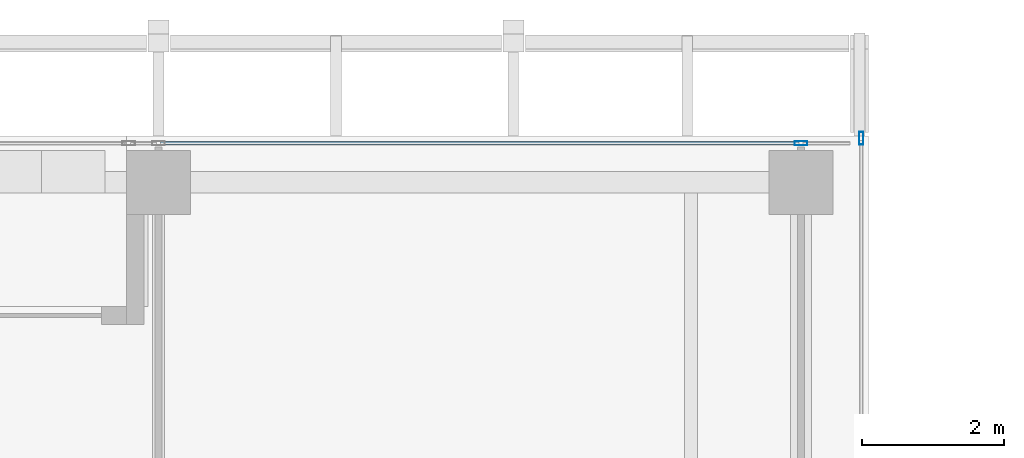
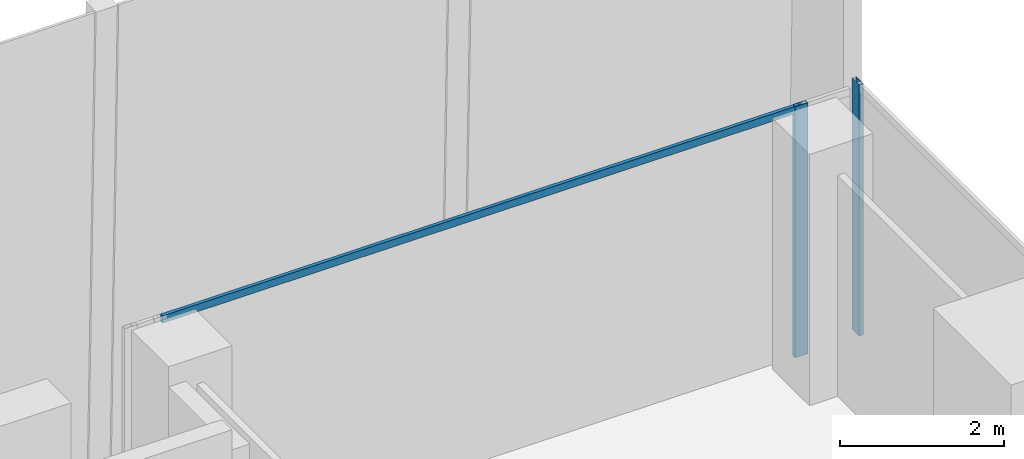
# One storey, part 21 of 35: 3 members, 2 elements without a shape of their own.
"""IFC4 building model written with IfcOpenShell, lengths in metres."""

import ifcopenshell
import ifcopenshell.guid

model = None  # the IFC model being written
_history = None  # IfcOwnerHistory: only IFC2X3 demands one
_inside = {}  # id of a spatial element -> (the spatial element, [elements in it])
_under = {}  # id of a project, library or spatial element -> (it, [spatial elements below it])
_declared = {}  # id of a project -> (the project, [libraries it declares])
_typed = {}  # id of a type object -> (the type object, [elements of that type])
_made_of = {}  # id of a material, layer set ... -> (it, [elements and type objects made of it])


def new_model(schema):
    """Start an empty IFC model of exactly this schema.

    Asked for "IFC4X3", IfcOpenShell would pick the latest addendum, in which some entities
    have other attributes; the version numbers below select the first issue.
    IFC2X3 requires an IfcOwnerHistory on every rooted entity: one is made here for all.
    """
    global model, _history
    if schema == "IFC4X3":
        model = ifcopenshell.file(schema_version=(4, 3, 0, 0))
    else:
        model = ifcopenshell.file(schema=schema)
    _inside.clear()
    _under.clear()
    _declared.clear()
    _typed.clear()
    _made_of.clear()
    _history = None
    if model.schema == "IFC2X3":
        org = make("IfcOrganization", Name="unknown")
        user = make(
            "IfcPersonAndOrganization",
            ThePerson=make("IfcPerson", FamilyName="unknown"),
            TheOrganization=org,
        )
        app = make(
            "IfcApplication",
            ApplicationDeveloper=org,
            Version="unknown",
            ApplicationFullName="unknown",
            ApplicationIdentifier="unknown",
        )
        _history = make(
            "IfcOwnerHistory",
            OwningUser=user,
            OwningApplication=app,
            ChangeAction="ADDED",
            CreationDate=0,
        )
    return model


def make(cls, **values):
    """One entity of the class cls with the attributes given. An attribute that is None is left unset."""
    return model.create_entity(
        cls, **{name: value for name, value in values.items() if value is not None}
    )


def rooted(cls, **values):
    """An entity with a GlobalId (a new one), such as an element, a storey or a relation."""
    return make(cls, GlobalId=ifcopenshell.guid.new(), OwnerHistory=_history, **values)


def si_unit(unit_type, name, prefix=None):
    """IfcSIUnit, for example si_unit("LENGTHUNIT", "METRE", prefix="MILLI")."""
    return make("IfcSIUnit", UnitType=unit_type, Prefix=prefix, Name=name)


def assignment(units):
    """IfcUnitAssignment: the units of a project."""
    return None if units is None else make("IfcUnitAssignment", Units=units)


def point(xyz):
    """IfcCartesianPoint."""
    return None if xyz is None else make("IfcCartesianPoint", Coordinates=xyz)


def direction(xyz):
    """IfcDirection."""
    return None if xyz is None else make("IfcDirection", DirectionRatios=xyz)


def frame(location, z_axis=None, x_axis=None):
    """IfcAxis2Placement3D, a coordinate frame: its origin and axes. An axis left out is left unset."""
    return make(
        "IfcAxis2Placement3D",
        Location=point(location),
        Axis=direction(z_axis),
        RefDirection=direction(x_axis),
    )


def frame_2d(location, x_axis=None):
    """IfcAxis2Placement2D, a coordinate frame in the plane: its origin and x axis."""
    return make(
        "IfcAxis2Placement2D", Location=point(location), RefDirection=direction(x_axis)
    )


def origin():
    """The frame at (0, 0, 0) with its axes left unset."""
    return frame((0.0, 0.0, 0.0))


def origin_2d():
    """The frame at (0, 0) in the plane with its x axis left unset."""
    return frame_2d((0.0, 0.0))


def place(relative_to, where):
    """IfcLocalPlacement: puts the frame where relative to a parent placement (None: the world)."""
    return make(
        "IfcLocalPlacement", PlacementRelTo=relative_to, RelativePlacement=where
    )


def context(
    kind, dimensions, precision=None, world=None, true_north=None, identifier=None
):
    """IfcGeometricRepresentationContext, for example the 3D "Model" context."""
    return make(
        "IfcGeometricRepresentationContext",
        ContextIdentifier=identifier,
        ContextType=kind,
        CoordinateSpaceDimension=dimensions,
        Precision=precision,
        WorldCoordinateSystem=world,
        TrueNorth=true_north,
    )


def subcontext(parent, identifier, kind, view, scale=None):
    """IfcGeometricRepresentationSubContext, for example "Body" below "Model"."""
    return make(
        "IfcGeometricRepresentationSubContext",
        ContextIdentifier=identifier,
        ContextType=kind,
        ParentContext=parent,
        TargetScale=scale,
        TargetView=view,
    )


def project(units=None, contexts=None):
    """IfcProject with its units and contexts."""
    return rooted(
        "IfcProject",
        Name="project",
        RepresentationContexts=contexts,
        UnitsInContext=assignment(units),
    )


def spatial(cls, under=None, at=None, **own):
    """A site, building, storey or space (cls), placed at a placement, below another one or the project."""
    s = rooted(cls, ObjectPlacement=at, **own)
    if under is not None:
        _under.setdefault(under.id(), (under, []))[1].append(s)
    return s


def profile(cls, at=None, kind="AREA", **sizes):
    """A parametric profile (cls). Its sizes go by their IFC names, for example OverallWidth=200.0."""
    return make(cls, ProfileType=kind, Position=at, **sizes)


def hollow_rectangle(**sizes):
    """IfcRectangleHollowProfileDef."""
    return profile("IfcRectangleHollowProfileDef", **sizes)


def extrude(swept, where, along, depth):
    """IfcExtrudedAreaSolid: the profile swept, set in the frame where, extruded along a direction by depth."""
    return make(
        "IfcExtrudedAreaSolid",
        SweptArea=swept,
        Position=where,
        ExtrudedDirection=direction(along),
        Depth=depth,
    )


def shape(context_of_items, identifier, shape_type, items):
    """IfcShapeRepresentation: the items that make up one representation, for example the "Body"."""
    return make(
        "IfcShapeRepresentation",
        ContextOfItems=context_of_items,
        RepresentationIdentifier=identifier,
        RepresentationType=shape_type,
        Items=items,
    )


def source(mapping_origin, context_of_items, identifier, shape_type, items):
    """IfcRepresentationMap: a shape defined once, which mapped items show again and again."""
    return make(
        "IfcRepresentationMap",
        MappingOrigin=mapping_origin,
        MappedRepresentation=shape(context_of_items, identifier, shape_type, items),
    )


def transform(
    local_origin,
    x_axis=None,
    y_axis=None,
    z_axis=None,
    scale=None,
    scale2=None,
    scale3=None,
    uniform=True,
):
    """IfcCartesianTransformationOperator3D, or its non-uniform kind. x_axis, y_axis, z_axis: its Axis1, 2, 3."""
    if uniform:
        return make(
            "IfcCartesianTransformationOperator3D",
            Axis1=direction(x_axis),
            Axis2=direction(y_axis),
            LocalOrigin=point(local_origin),
            Scale=scale,
            Axis3=direction(z_axis),
        )
    return make(
        "IfcCartesianTransformationOperator3DnonUniform",
        Axis1=direction(x_axis),
        Axis2=direction(y_axis),
        LocalOrigin=point(local_origin),
        Scale=scale,
        Axis3=direction(z_axis),
        Scale2=scale2,
        Scale3=scale3,
    )


def mapped(mapping_source, mapping_target):
    """IfcMappedItem: shows the shape of a source again, moved by a transform."""
    return make(
        "IfcMappedItem", MappingSource=mapping_source, MappingTarget=mapping_target
    )


def material(Name=None, Category=None):
    """IfcMaterial."""
    return make("IfcMaterial", Name=Name, Category=Category)


def material_profile(
    of_material, cross_section, Name=None, Category=None, Priority=None
):
    """IfcMaterialProfile: a cross section and its material."""
    return make(
        "IfcMaterialProfile",
        Name=Name,
        Material=of_material,
        Profile=cross_section,
        Priority=Priority,
        Category=Category,
    )


def profile_set(profiles, Name=None, composite=None):
    """IfcMaterialProfileSet."""
    return make(
        "IfcMaterialProfileSet",
        Name=Name,
        MaterialProfiles=profiles,
        CompositeProfile=composite,
    )


def made_of(thing, what):
    """Note that an element or type object is made of a material, layer set ...; save() writes the relation."""
    if what is not None:
        _made_of.setdefault(what.id(), (what, []))[1].append(thing)
    return thing


def type_object(cls, material=None, **own):
    """A type object (cls), such as IfcWallType, which elements share."""
    return made_of(rooted(cls, **own), material)


def element(
    cls,
    number,
    at=None,
    inside=None,
    cuts=None,
    type_object=None,
    material=None,
    context=None,
    identifier="Body",
    shape_type=None,
    held_by="IfcProductDefinitionShape",
    body=None,
    shapes=None,
    **own,
):
    """One element of the class cls, such as IfcWall. Its Tag is "e" and its number.

    at: its placement. inside: the storey or other place that contains it. cuts: it is an
    opening in that element (IfcRelVoidsElement). A single representation is given by context,
    identifier, shape_type and body (its items); several are given by shapes. held_by: the class
    of the entity that holds the representations. save() writes the other relations.
    """
    e = rooted(cls, Tag="e%d" % number, ObjectPlacement=at, **own)
    if body is not None:
        shapes = [shape(context, identifier, shape_type, body)]
    if shapes is not None:
        e.Representation = make(held_by, Representations=shapes)
    if inside is not None:
        _inside.setdefault(inside.id(), (inside, []))[1].append(e)
    if cuts is not None:
        rooted(
            "IfcRelVoidsElement", RelatingBuildingElement=cuts, RelatedOpeningElement=e
        )
    if type_object is not None:
        _typed.setdefault(type_object.id(), (type_object, []))[1].append(e)
    return made_of(e, material)


def aggregate(whole, parts):
    """IfcRelAggregates: a whole, such as a stair, and the parts it consists of."""
    return rooted("IfcRelAggregates", RelatingObject=whole, RelatedObjects=parts)


def save(model, path):
    """Write the relations noted so far, then the file.

    IfcRelAggregates (storeys below a building ...), IfcRelContainedInSpatialStructure (elements
    in a storey), IfcRelDefinesByType, IfcRelAssociatesMaterial and IfcRelDeclares: one each for
    every whole, place, type object, material and project.
    """
    for whole, parts in _under.values():
        aggregate(whole, parts)
    for where, things in _inside.values():
        rooted(
            "IfcRelContainedInSpatialStructure",
            RelatedElements=things,
            RelatingStructure=where,
        )
    for kind, things in _typed.values():
        rooted("IfcRelDefinesByType", RelatedObjects=things, RelatingType=kind)
    for what, things in _made_of.values():
        rooted("IfcRelAssociatesMaterial", RelatedObjects=things, RelatingMaterial=what)
    for by, libraries in _declared.values():
        rooted("IfcRelDeclares", RelatingContext=by, RelatedDefinitions=libraries)
    model.write(path)


model = new_model("IFC4")

# Units and contexts
model_context = context("Model", 3, precision=1e-05, world=origin(), true_north=direction((0.0, 1.0)))
body_context = subcontext(model_context, "Body", "Model", "MODEL_VIEW")
ifc_project = project(units=[si_unit("LENGTHUNIT", "METRE"), si_unit("AREAUNIT", "SQUARE_METRE"), si_unit("VOLUMEUNIT", "CUBIC_METRE"), si_unit("PLANEANGLEUNIT", "RADIAN"), si_unit("MASSUNIT", "GRAM", prefix="KILO")], contexts=[model_context])

# Site, building, storey
site_placement = place(None, origin())
site = spatial("IfcSite", under=ifc_project, at=site_placement, CompositionType="ELEMENT")
building_placement = place(site_placement, origin())
building = spatial("IfcBuilding", under=site, at=building_placement, Name="Khomas Fold Tower", CompositionType="ELEMENT")
storey_placement = place(building_placement, frame((0.0, 0.0, 266.199951171875)))
storey = spatial("IfcBuildingStorey", under=building, at=storey_placement, Name="L60", CompositionType="ELEMENT", Elevation=266.199951171875)

# Curtain wall, member
ifc_material_1 = material(Name="Aluminium framed double glazing", Category="aluminium")
curtain_wall_type = type_object("IfcCurtainWallType", Name="SK-Unitised clear-glass wall, office floors CW2", PredefinedType="NOTDEFINED", material=ifc_material_1)
curtain_wall_1_placement = place(storey_placement, origin())
curtain_wall_1 = element("IfcCurtainWall", 1, at=curtain_wall_1_placement, inside=storey, type_object=curtain_wall_type, Name="CW2 corner return L60 05", PredefinedType="NOTDEFINED")
ifc_material_2 = material(Name="Aluminium", Category="aluminium")
ifc_material_profile_1 = material_profile(ifc_material_2, hollow_rectangle(XDim=0.06005859375, YDim=0.179931640625, WallThickness=0.00390625, at=origin_2d()), Name="SK-Unitised clear-glass wall, office floors mullion CW2-M")
ifc_profile_set_1 = profile_set([ifc_material_profile_1], Name="Aluminium")
member_type_1 = type_object("IfcMemberType", Name="SK-Unitised clear-glass wall, office floors mullion CW2-M", PredefinedType="MULLION", material=ifc_profile_set_1)
shared_shape_1 = source(origin(), body_context, "Body", "SweptSolid", [
    extrude(hollow_rectangle(XDim=0.06005859375, YDim=0.179931640625, WallThickness=0.00390625, at=origin_2d()), origin(), (0.0, 0.0, 1.0), 3.75),
])
member_1_placement = place(storey_placement, frame((44.39990234375, 49.469970703125, 0.0), z_axis=(0.0, 0.0, 1.0), x_axis=(-1.0, 0.0, 0.0)))
member_1 = element("IfcMember", 2, at=member_1_placement, type_object=member_type_1, Name="CW2 mullion 2", PredefinedType="MULLION", context=body_context, shape_type="MappedRepresentation", body=[
    mapped(shared_shape_1, transform((0.0, 0.0, 0.0))),
])
aggregate(curtain_wall_1, [member_1])

# Curtain wall, members
curtain_wall_2_placement = place(storey_placement, origin())
curtain_wall_2 = element("IfcCurtainWall", 3, at=curtain_wall_2_placement, inside=storey, type_object=curtain_wall_type, Name="CW2 run L60 06-0", PredefinedType="NOTDEFINED")
member_2_placement = place(storey_placement, frame((43.550048828125, 49.39990234375, 0.0), z_axis=(0.0, 0.0, 1.0), x_axis=(0.0, -1.0, 0.0)))
member_2 = element("IfcMember", 4, at=member_2_placement, type_object=member_type_1, Name="CW2 mullion 2", PredefinedType="MULLION", context=body_context, shape_type="MappedRepresentation", body=[
    mapped(shared_shape_1, transform((0.0, 0.0, 0.0))),
])
ifc_material_3 = material(Name="Aluminium", Category="aluminium")
ifc_material_profile_2 = material_profile(ifc_material_3, hollow_rectangle(XDim=0.050048828125, YDim=0.110107421875, WallThickness=0.00390625, at=origin_2d()), Name="SK-Unitised clear-glass wall, office floors transom CW2-T")
ifc_profile_set_2 = profile_set([ifc_material_profile_2], Name="Aluminium")
member_type_2 = type_object("IfcMemberType", Name="SK-Unitised clear-glass wall, office floors transom CW2-T", PredefinedType="USERDEFINED", material=ifc_profile_set_2)
shared_shape_2 = source(origin(), body_context, "Body", "SweptSolid", [
    extrude(hollow_rectangle(XDim=0.050048828125, YDim=0.110107421875, WallThickness=0.00390625, at=origin_2d()), origin(), (0.0, 0.0, 1.0), 8.989990234375),
])
member_3_placement = place(storey_placement, frame((43.52001953125, 49.39990234375, 3.695068359375), z_axis=(-1.0, 0.0, 0.0), x_axis=(0.0, -1.0, 0.0)))
member_3 = element("IfcMember", 5, at=member_3_placement, type_object=member_type_2, Name="CW2 transom 2", ObjectType="TRANSOM", PredefinedType="USERDEFINED", context=body_context, shape_type="MappedRepresentation", body=[
    mapped(shared_shape_2, transform((0.0, 0.0, 0.0))),
])
aggregate(curtain_wall_2, [member_2, member_3])

save(model, "model.ifc")
